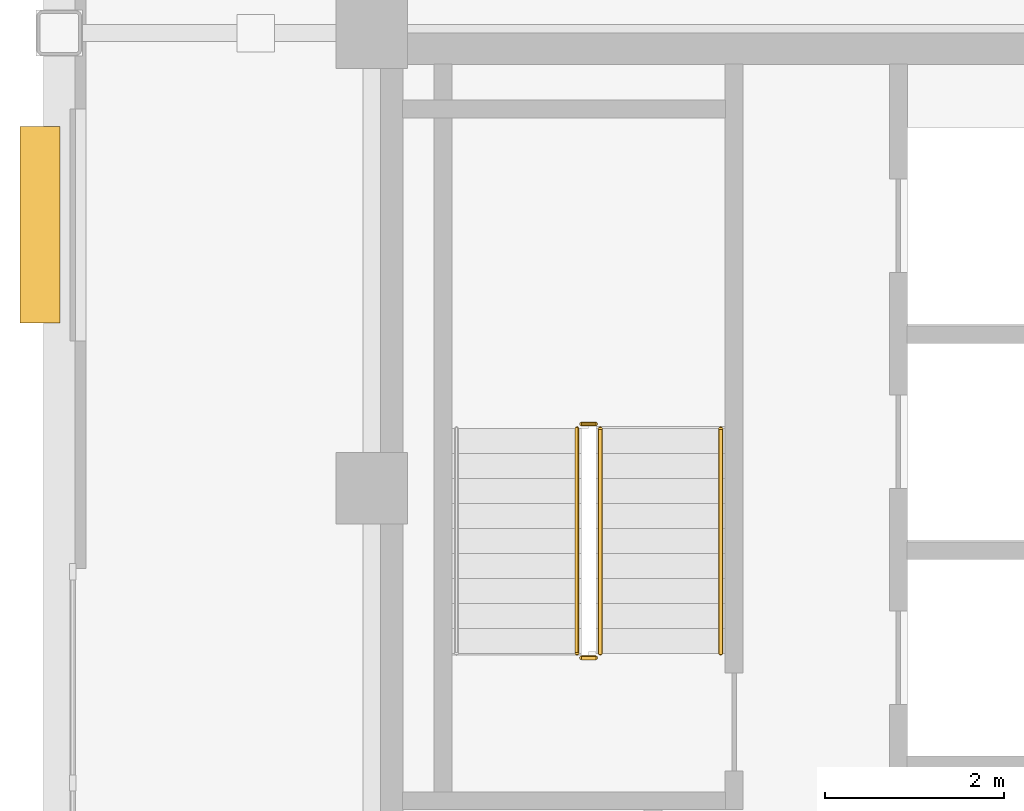
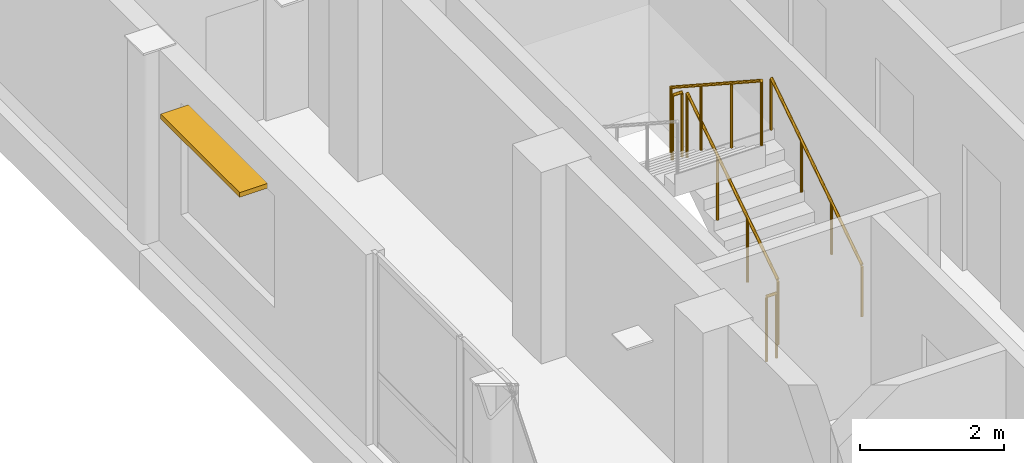
# One storey, part 12 of 15: 5 railings, 1 shading device.
"""IFC4 building model written with IfcOpenShell, lengths in metres."""

from ifc_helpers import new_model, si_unit, direction, frame, origin, origin_2d, place, context, subcontext, project, spatial, rectangle, circle, extrude, source, transform, mapped, material, type_object, type_shapes, element, save


model = new_model("IFC4")

# Units and contexts
model_context = context("Model", 3, precision=1e-05, world=origin(), true_north=direction((0.0, 1.0)))
body_context = subcontext(model_context, "Body", "Model", "MODEL_VIEW")
ifc_project = project(units=[si_unit("LENGTHUNIT", "METRE"), si_unit("AREAUNIT", "SQUARE_METRE"), si_unit("VOLUMEUNIT", "CUBIC_METRE"), si_unit("PLANEANGLEUNIT", "RADIAN"), si_unit("MASSUNIT", "GRAM", prefix="KILO")], contexts=[model_context])

# Site, building, storey
site_placement = place(None, origin())
site = spatial("IfcSite", under=ifc_project, at=site_placement, CompositionType="ELEMENT")
building_placement = place(site_placement, origin())
building = spatial("IfcBuilding", under=site, at=building_placement, Name="Nuvemarco Arch Tower", CompositionType="ELEMENT")
storey_placement = place(building_placement, frame((0.0, 0.0, 283.5)))
storey = spatial("IfcBuildingStorey", under=building, at=storey_placement, Name="L75", CompositionType="ELEMENT", Elevation=283.5)

# Railings
ifc_material_1 = material(Name="Brushed stainless steel handrail", Category="steel")
railing_type_1 = type_object("IfcRailingType", Name="RL-HANDRAIL-900", PredefinedType="HANDRAIL", material=ifc_material_1)
railing_1_placement = place(storey_placement, frame((-13.590087890625, 2.64990234375, 0.1826171875)))
element("IfcRailing", 1, at=railing_1_placement, inside=storey, type_object=railing_type_1, Name="L75 ST-1 stair handrail 1", PredefinedType="HANDRAIL", context=body_context, shape_type="SweptSolid", body=[
    extrude(circle(Radius=0.02392578125, at=origin_2d()), frame((0.0, 0.0, 0.8759765625), z_axis=(0.0, 0.837786554691, 0.545997883492), x_axis=(-1.0, 0.0, 0.0)), (0.0, 0.0, 1.0), 3.008056640625),
    extrude(circle(Radius=0.02099609375, at=origin_2d()), origin(), (0.0, 0.0, 1.0), 0.851806640625),
    extrude(circle(Radius=0.02099609375, at=origin_2d()), frame((0.0, 0.840087890625, 0.54736328125)), (0.0, 0.0, 1.0), 0.851806640625),
    extrude(circle(Radius=0.02099609375, at=origin_2d()), frame((0.0, 1.679931640625, 1.094970703125)), (0.0, 0.0, 1.0), 0.851806640625),
    extrude(circle(Radius=0.02099609375, at=origin_2d()), frame((0.0, 2.52001953125, 1.642333984375)), (0.0, 0.0, 1.0), 0.851806640625),
])
ifc_material_2 = material(Name="Painted balustrade steel S355", Category="steel")
railing_type_2 = type_object("IfcRailingType", Name="RL-STAIR-GUARD", PredefinedType="GUARDRAIL", material=ifc_material_2)
railing_2_placement = place(storey_placement, frame((-14.93994140625, 2.64990234375, 0.1826171875)))
element("IfcRailing", 2, at=railing_2_placement, inside=storey, type_object=railing_type_2, Name="L75 ST-1 stair guard 1", PredefinedType="GUARDRAIL", context=body_context, shape_type="SweptSolid", body=[
    extrude(circle(Radius=0.02392578125, at=origin_2d()), frame((0.0, 0.0, 1.09619140625), z_axis=(0.0, 0.837786554691, 0.545997883492), x_axis=(-1.0, 0.0, 0.0)), (0.0, 0.0, 1.0), 3.008056640625),
    extrude(circle(Radius=0.02099609375, at=origin_2d()), origin(), (0.0, 0.0, 1.0), 1.072021484375),
    extrude(circle(Radius=0.02099609375, at=origin_2d()), frame((0.0, 0.840087890625, 0.54736328125)), (0.0, 0.0, 1.0), 1.072021484375),
    extrude(circle(Radius=0.02099609375, at=origin_2d()), frame((0.0, 1.679931640625, 1.094970703125)), (0.0, 0.0, 1.0), 1.072021484375),
    extrude(circle(Radius=0.02099609375, at=origin_2d()), frame((0.0, 2.52001953125, 1.642333984375)), (0.0, 0.0, 1.0), 1.072021484375),
])
railing_3_placement = place(storey_placement, frame((-14.989990234375, 5.219970703125, 1.824951171875)))
element("IfcRailing", 3, at=railing_3_placement, inside=storey, type_object=railing_type_2, Name="L75 ST-1 stair guard 2", PredefinedType="GUARDRAIL", context=body_context, shape_type="SweptSolid", body=[
    extrude(circle(Radius=0.02392578125, at=origin_2d()), frame((0.0, 0.0, 1.09619140625), z_axis=(-1.0, 0.0, 0.0), x_axis=(0.0, -1.0, 0.0)), (0.0, 0.0, 1.0), 0.159912109375),
    extrude(circle(Radius=0.02099609375, at=origin_2d()), origin(), (0.0, 0.0, 1.0), 1.072021484375),
    extrude(circle(Radius=0.02099609375, at=origin_2d()), frame((-0.159912109375, 0.0, 0.0)), (0.0, 0.0, 1.0), 1.072021484375),
])
railing_4_placement = place(storey_placement, frame((-15.199951171875, 5.169921875, 2.007568359375)))
element("IfcRailing", 4, at=railing_4_placement, inside=storey, type_object=railing_type_2, Name="L75 ST-1 stair guard 3", PredefinedType="GUARDRAIL", context=body_context, shape_type="SweptSolid", body=[
    extrude(circle(Radius=0.02392578125, at=origin_2d()), frame((0.0, 0.0, 1.09619140625), z_axis=(0.0, -0.837786554691, 0.545997883492), x_axis=(1.0, 0.0, 0.0)), (0.0, 0.0, 1.0), 3.008056640625),
    extrude(circle(Radius=0.02099609375, at=origin_2d()), origin(), (0.0, 0.0, 1.0), 1.072021484375),
    extrude(circle(Radius=0.02099609375, at=origin_2d()), frame((0.0, -0.840087890625, 0.54736328125)), (0.0, 0.0, 1.0), 1.072021484375),
    extrude(circle(Radius=0.02099609375, at=origin_2d()), frame((0.0, -1.679931640625, 1.094970703125)), (0.0, 0.0, 1.0), 1.072021484375),
    extrude(circle(Radius=0.02099609375, at=origin_2d()), frame((0.0, -2.52001953125, 1.642333984375)), (0.0, 0.0, 1.0), 1.072021484375),
])
railing_5_placement = place(storey_placement, frame((-14.989990234375, 2.60009765625, 0.0)))
element("IfcRailing", 5, at=railing_5_placement, inside=storey, type_object=railing_type_2, Name="L75 ST-1 stair guard 4", PredefinedType="GUARDRAIL", context=body_context, shape_type="SweptSolid", body=[
    extrude(circle(Radius=0.02392578125, at=origin_2d()), frame((0.0, 0.0, 1.09619140625), z_axis=(-1.0, 0.0, 0.0), x_axis=(0.0, -1.0, 0.0)), (0.0, 0.0, 1.0), 0.159912109375),
    extrude(circle(Radius=0.02099609375, at=origin_2d()), origin(), (0.0, 0.0, 1.0), 1.072021484375),
    extrude(circle(Radius=0.02099609375, at=origin_2d()), frame((-0.159912109375, 0.0, 0.0)), (0.0, 0.0, 1.0), 1.072021484375),
])

# Shading device
ifc_material_3 = material(Name="Anodised aluminium 6063-T6", Category="aluminium")
shading_device_type = type_object("IfcShadingDeviceType", Name="SHD-BRISE-SOLEIL", PredefinedType="USERDEFINED", material=ifc_material_3)
shared_shape = source(origin(), body_context, "Body", "SweptSolid", [
    extrude(rectangle(XDim=2.199951171875, YDim=0.449951171875, at=origin_2d()), origin(), (0.0, 0.0, 1.0), 0.080078125),
])
type_shapes(shading_device_type, [shared_shape])
shading_device_placement = place(storey_placement, frame((-21.215087890625, 7.450927734375, 2.705078125), z_axis=(0.0, 0.0, 1.0), x_axis=(0.0, 1.0, 0.0)))
element("IfcShadingDevice", 6, at=shading_device_placement, inside=storey, type_object=shading_device_type, Name="L75 horizontal brise-soleil sunshade", ObjectType="SUNSHADE", PredefinedType="USERDEFINED", context=body_context, shape_type="MappedRepresentation", body=[
    mapped(shared_shape, transform((0.0, 0.0, 0.0), scale=1.0)),
])

save(model, "model.ifc")
